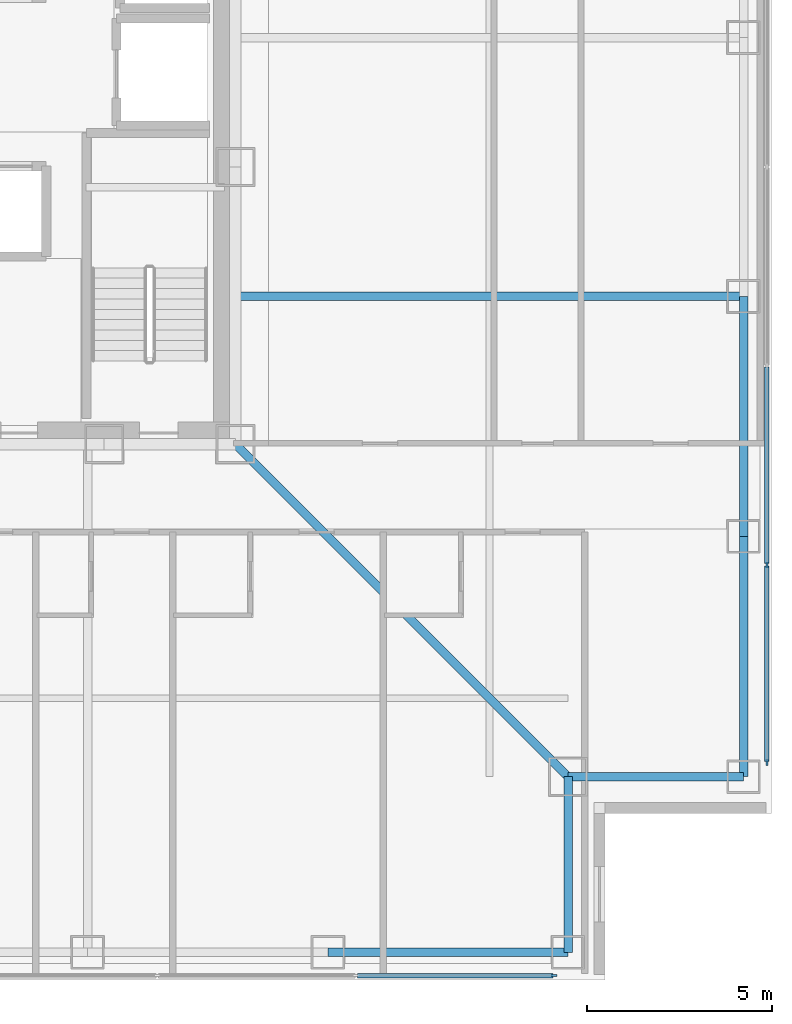
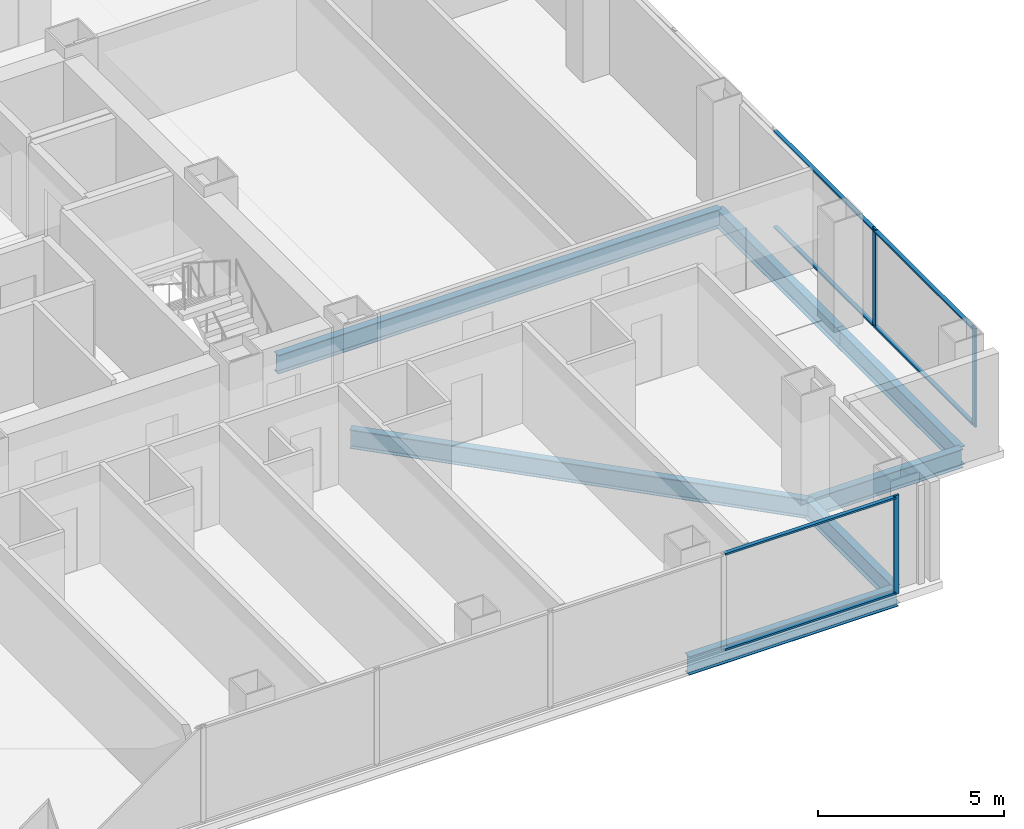
# One storey, part 7 of 18: 9 members, 7 beams, 2 elements without a shape of their own.
"""IFC4 building model written with IfcOpenShell, lengths in metres."""

from ifc_helpers import new_model, si_unit, direction, frame, origin, origin_2d, place, context, subcontext, project, spatial, rectangle, i_section, extrude, material, layer, layer_set, material_profile, profile_set, type_object, element, aggregate, save


model = new_model("IFC4")

# Units and contexts
model_context = context("Model", 3, precision=1e-05, world=origin(), true_north=direction((0.0, 1.0)))
body_context = subcontext(model_context, "Body", "Model", "MODEL_VIEW")
ifc_project = project(units=[si_unit("LENGTHUNIT", "METRE"), si_unit("AREAUNIT", "SQUARE_METRE"), si_unit("VOLUMEUNIT", "CUBIC_METRE"), si_unit("PLANEANGLEUNIT", "RADIAN"), si_unit("MASSUNIT", "GRAM", prefix="KILO")], contexts=[model_context])

# Site, building, storey
site_placement = place(None, origin())
site = spatial("IfcSite", under=ifc_project, at=site_placement, CompositionType="ELEMENT")
building_placement = place(site_placement, origin())
building = spatial("IfcBuilding", under=site, at=building_placement, Name="Trevonay Congress Spire", CompositionType="ELEMENT")
storey_placement = place(building_placement, frame((0.0, 0.0, 151.60009765625)))
storey = spatial("IfcBuildingStorey", under=building, at=storey_placement, Name="L39", CompositionType="ELEMENT", Elevation=151.60009765625)

# Beams
ifc_material_1 = material(Name="Steel ASTM A572 Grade 50", Category="steel")
ifc_material_profile_1 = material_profile(ifc_material_1, i_section(OverallWidth=0.22998046875, OverallDepth=0.616943359375, WebThickness=0.01318359375, FlangeThickness=0.022216796875, FilletRadius=0.01611328125, at=origin_2d()), Name="W610x140")
ifc_profile_set_1 = profile_set([ifc_material_profile_1], Name="Steel ASTM A572 Grade 50")
beam_type_1 = type_object("IfcBeamType", Name="BM-GIRD-W610X140", PredefinedType="BEAM", material=ifc_profile_set_1)
beam_1_placement = place(storey_placement, frame((7.5, -7.5, -0.548583984375), z_axis=(0.707106781187, -0.707106781187, 0.0), x_axis=(0.707106781187, 0.707106781187, 0.0)))
element("IfcBeam", 1, at=beam_1_placement, inside=storey, type_object=beam_type_1, Name="L39 structural beam BM-L39-CDSE", PredefinedType="BEAM", context=body_context, shape_type="SweptSolid", body=[
    extrude(i_section(OverallWidth=0.22998046875, OverallDepth=0.616943359375, WebThickness=0.01318359375, FlangeThickness=0.022216796875, FilletRadius=0.01611328125, at=origin_2d()), origin(), (0.0, 0.0, 1.0), 12.72802734375),
])
beam_2_placement = place(storey_placement, frame((7.5, -3.5, -0.548583984375), z_axis=(1.0, 0.0, 0.0), x_axis=(0.0, 1.0, 0.0)))
element("IfcBeam", 2, at=beam_2_placement, inside=storey, type_object=beam_type_1, Name="L39 structural beam BM-L39-GE-M", PredefinedType="BEAM", context=body_context, shape_type="SweptSolid", body=[
    extrude(i_section(OverallWidth=0.22998046875, OverallDepth=0.616943359375, WebThickness=0.01318359375, FlangeThickness=0.022216796875, FilletRadius=0.01611328125, at=origin_2d()), origin(), (0.0, 0.0, 1.0), 13.75),
])
ifc_material_profile_2 = material_profile(ifc_material_1, i_section(OverallWidth=0.22802734375, OverallDepth=0.60791015625, WebThickness=0.01123046875, FlangeThickness=0.017333984375, FilletRadius=0.01611328125, at=origin_2d()), Name="W610x113")
ifc_profile_set_2 = profile_set([ifc_material_profile_2], Name="Steel ASTM A572 Grade 50")
beam_type_2 = type_object("IfcBeamType", Name="BM-RING-W610X113", PredefinedType="BEAM", material=ifc_profile_set_2)
for number, where, z_axis, x_axis, name in (
    (3, (21.25, -16.5, -0.544189453125), (0.0, 1.0, 0.0), (-1.0, 0.0, 0.0), "L39 structural beam BM-L39-PE1"),
    (4, (21.25, -10.0, -0.544189453125), (0.0, 1.0, 0.0), (-1.0, 0.0, 0.0), "L39 structural beam BM-L39-PE2"),
    (5, (10.0, -21.25, -0.544189453125), (1.0, 0.0, 0.0), (0.0, 1.0, 0.0), "L39 structural beam BM-L39-PS5"),
):
    element("IfcBeam", number, at=place(storey_placement, frame(where, z_axis=z_axis, x_axis=x_axis)), inside=storey, type_object=beam_type_2, Name=name, PredefinedType="BEAM", context=body_context, shape_type="SweptSolid", body=[
        extrude(i_section(OverallWidth=0.22802734375, OverallDepth=0.60791015625, WebThickness=0.01123046875, FlangeThickness=0.017333984375, FilletRadius=0.01611328125, at=origin_2d()), origin(), (0.0, 0.0, 1.0), 6.5),
    ])
for number, where, z_axis, x_axis, name in (
    (6, (16.5, -21.25, -0.544189453125), (0.0, 1.0, 0.0), (-1.0, 0.0, 0.0), "L39 structural beam BM-L39-N1SE"),
    (7, (21.25, -16.5, -0.544189453125), (-1.0, 0.0, 0.0), (0.0, -1.0, 0.0), "L39 structural beam BM-L39-N2SE"),
):
    element("IfcBeam", number, at=place(storey_placement, frame(where, z_axis=z_axis, x_axis=x_axis)), inside=storey, type_object=beam_type_2, Name=name, PredefinedType="BEAM", context=body_context, shape_type="SweptSolid", body=[
        extrude(i_section(OverallWidth=0.22802734375, OverallDepth=0.60791015625, WebThickness=0.01123046875, FlangeThickness=0.017333984375, FilletRadius=0.01611328125, at=origin_2d()), origin(), (0.0, 0.0, 1.0), 4.75),
    ])

# Curtain wall, member
ifc_material_2 = material(Name="Pale Anodised Aluminium EN AW-6063-T6", Category="aluminium")
ifc_layer = layer(ifc_material_2, 0.175048828125, Name="Pale Anodised Aluminium EN AW-6063-T6")
ifc_layer_set = layer_set([ifc_layer], Name="Pale Anodised Aluminium EN AW-6063-T6")
curtain_wall_type = type_object("IfcCurtainWallType", Name="CW-SYS03-CONGRESS-PALE-METAL", PredefinedType="NOTDEFINED", material=ifc_layer_set)
curtain_wall_1_placement = place(storey_placement, origin())
curtain_wall_1 = element("IfcCurtainWall", 8, at=curtain_wall_1_placement, inside=storey, type_object=curtain_wall_type, Name="L39 S unitised curtain wall", PredefinedType="NOTDEFINED")
ifc_material_profile_3 = material_profile(ifc_material_2, rectangle(XDim=0.06005859375, YDim=0.159912109375, at=origin_2d()), Name="CW-MULLION-160-ALUMINIUM")
ifc_profile_set_3 = profile_set([ifc_material_profile_3], Name="Pale Anodised Aluminium EN AW-6063-T6")
member_type_1 = type_object("IfcMemberType", Name="CW-MULLION-160-ALUMINIUM", PredefinedType="MULLION", material=ifc_profile_set_3)
member_1_placement = place(storey_placement, frame((16.1201171875, -21.8798828125, 0.0), z_axis=(0.0, 0.0, 1.0), x_axis=(0.0, 1.0, 0.0)))
member_1 = element("IfcMember", 9, at=member_1_placement, type_object=member_type_1, Name="CW03 mullion 7", PredefinedType="MULLION", context=body_context, shape_type="SweptSolid", body=[
    extrude(rectangle(XDim=0.06005859375, YDim=0.159912109375, at=origin_2d()), origin(), (0.0, 0.0, 1.0), 3.25),
])

# Curtain wall, members
curtain_wall_2_placement = place(storey_placement, origin())
curtain_wall_2 = element("IfcCurtainWall", 10, at=curtain_wall_2_placement, inside=storey, type_object=curtain_wall_type, Name="L39 E unitised curtain wall", PredefinedType="NOTDEFINED")
member_2_placement = place(storey_placement, frame((21.8798828125, -16.1201171875, 0.0), z_axis=(0.0, 0.0, 1.0), x_axis=(-1.0, 0.0, 0.0)))
member_2 = element("IfcMember", 11, at=member_2_placement, type_object=member_type_1, Name="CW03 mullion 1", PredefinedType="MULLION", context=body_context, shape_type="SweptSolid", body=[
    extrude(rectangle(XDim=0.06005859375, YDim=0.159912109375, at=origin_2d()), origin(), (0.0, 0.0, 1.0), 3.25),
])
member_3_placement = place(storey_placement, frame((21.8798828125, -10.7666015625, 0.0), z_axis=(0.0, 0.0, 1.0), x_axis=(-1.0, 0.0, 0.0)))
member_3 = element("IfcMember", 12, at=member_3_placement, type_object=member_type_1, Name="CW03 mullion 2", PredefinedType="MULLION", context=body_context, shape_type="SweptSolid", body=[
    extrude(rectangle(XDim=0.06005859375, YDim=0.159912109375, at=origin_2d()), origin(), (0.0, 0.0, 1.0), 3.25),
])

# Member
ifc_material_profile_4 = material_profile(ifc_material_2, rectangle(XDim=0.1201171875, YDim=0.06005859375, at=origin_2d()), Name="CW-TRANSOM-120-ALUMINIUM")
ifc_profile_set_4 = profile_set([ifc_material_profile_4], Name="Pale Anodised Aluminium EN AW-6063-T6")
member_type_2 = type_object("IfcMemberType", Name="CW-TRANSOM-120-ALUMINIUM", PredefinedType="USERDEFINED", material=ifc_profile_set_4)
member_4_placement = place(storey_placement, frame((10.796630859375, -21.8798828125, 0.059814453125), z_axis=(1.0, 0.0, 0.0), x_axis=(0.0, 1.0, 0.0)))
member_4 = element("IfcMember", 13, at=member_4_placement, type_object=member_type_2, Name="CW03 transom 6.1", ObjectType="TRANSOM", PredefinedType="USERDEFINED", context=body_context, shape_type="SweptSolid", body=[
    extrude(rectangle(XDim=0.1201171875, YDim=0.06005859375, at=origin_2d()), origin(), (0.0, 0.0, 1.0), 5.29345703125),
])

member_5_placement = place(storey_placement, frame((10.796630859375, -21.8798828125, 3.18994140625), z_axis=(1.0, 0.0, 0.0), x_axis=(0.0, 1.0, 0.0)))
member_5 = element("IfcMember", 14, at=member_5_placement, type_object=member_type_2, Name="CW03 transom 6.2", ObjectType="TRANSOM", PredefinedType="USERDEFINED", context=body_context, shape_type="SweptSolid", body=[
    extrude(rectangle(XDim=0.1201171875, YDim=0.06005859375, at=origin_2d()), origin(), (0.0, 0.0, 1.0), 5.29345703125),
])

aggregate(curtain_wall_1, [member_1, member_4, member_5])

member_6_placement = place(storey_placement, frame((21.8798828125, -16.090087890625, 0.059814453125), z_axis=(0.0, 1.0, 0.0), x_axis=(-1.0, 0.0, 0.0)))
member_6 = element("IfcMember", 15, at=member_6_placement, type_object=member_type_2, Name="CW03 transom 1.1", ObjectType="TRANSOM", PredefinedType="USERDEFINED", context=body_context, shape_type="SweptSolid", body=[
    extrude(rectangle(XDim=0.1201171875, YDim=0.06005859375, at=origin_2d()), origin(), (0.0, 0.0, 1.0), 5.29345703125),
])

member_7_placement = place(storey_placement, frame((21.8798828125, -16.090087890625, 3.18994140625), z_axis=(0.0, 1.0, 0.0), x_axis=(-1.0, 0.0, 0.0)))
member_7 = element("IfcMember", 16, at=member_7_placement, type_object=member_type_2, Name="CW03 transom 1.2", ObjectType="TRANSOM", PredefinedType="USERDEFINED", context=body_context, shape_type="SweptSolid", body=[
    extrude(rectangle(XDim=0.1201171875, YDim=0.06005859375, at=origin_2d()), origin(), (0.0, 0.0, 1.0), 5.29345703125),
])

member_8_placement = place(storey_placement, frame((21.8798828125, -10.736572265625, 0.059814453125), z_axis=(0.0, 1.0, 0.0), x_axis=(-1.0, 0.0, 0.0)))
member_8 = element("IfcMember", 17, at=member_8_placement, type_object=member_type_2, Name="CW03 transom 2.1", ObjectType="TRANSOM", PredefinedType="USERDEFINED", context=body_context, shape_type="SweptSolid", body=[
    extrude(rectangle(XDim=0.1201171875, YDim=0.06005859375, at=origin_2d()), origin(), (0.0, 0.0, 1.0), 5.3232421875),
])

member_9_placement = place(storey_placement, frame((21.8798828125, -10.736572265625, 3.18994140625), z_axis=(0.0, 1.0, 0.0), x_axis=(-1.0, 0.0, 0.0)))
member_9 = element("IfcMember", 18, at=member_9_placement, type_object=member_type_2, Name="CW03 transom 2.2", ObjectType="TRANSOM", PredefinedType="USERDEFINED", context=body_context, shape_type="SweptSolid", body=[
    extrude(rectangle(XDim=0.1201171875, YDim=0.06005859375, at=origin_2d()), origin(), (0.0, 0.0, 1.0), 5.3232421875),
])

aggregate(curtain_wall_2, [member_2, member_3, member_6, member_7, member_8, member_9])

save(model, "model.ifc")
